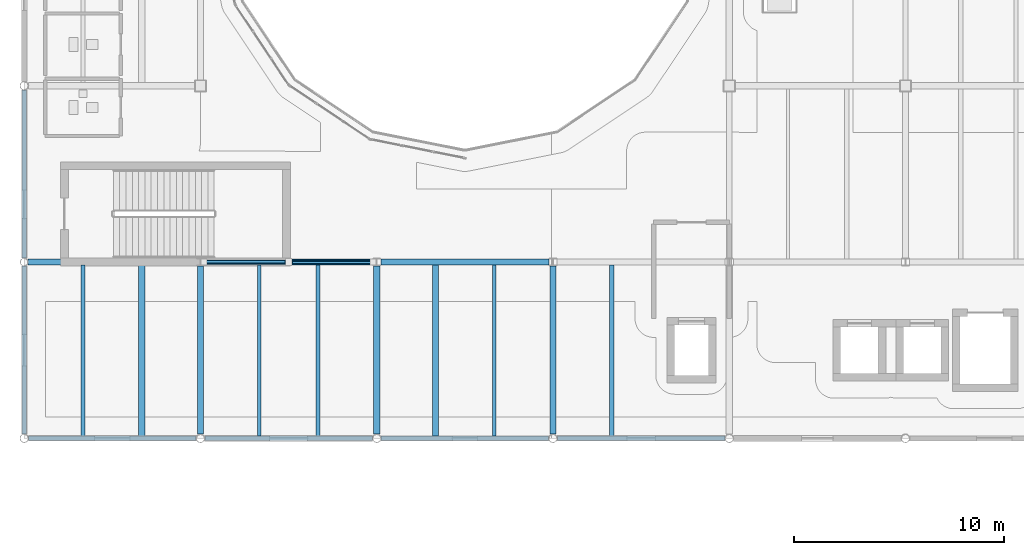
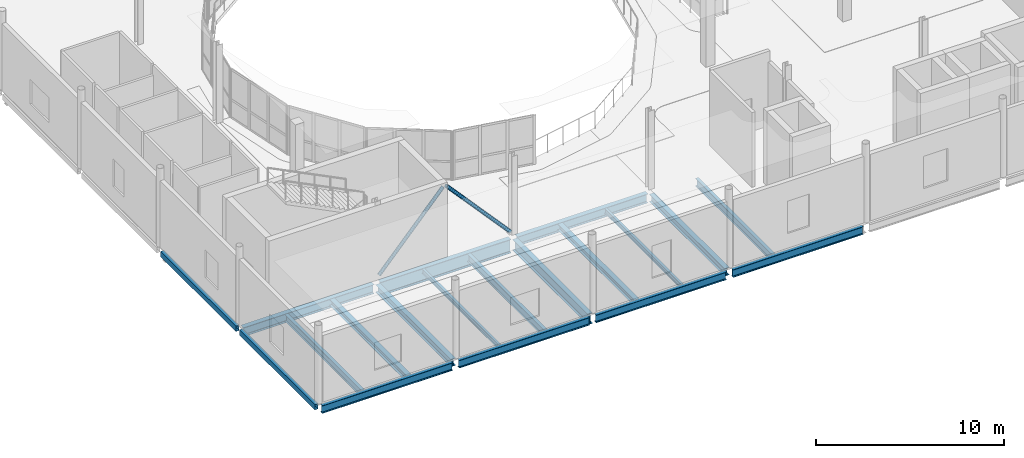
# One storey, part 12 of 103: 19 beams, 2 members.
"""IFC4 building model written with IfcOpenShell, lengths in metres."""

from ifc_helpers import new_model, si_unit, direction, frame, origin, origin_2d, place, context, subcontext, project, spatial, hollow_rectangle, hollow_circle, i_section, extrude, material, material_profile, profile_set, type_object, element, save


model = new_model("IFC4")

# Units and contexts
model_context = context("Model", 3, precision=1e-05, world=origin(), true_north=direction((0.0, 1.0)))
body_context = subcontext(model_context, "Body", "Model", "MODEL_VIEW")
ifc_project = project(units=[si_unit("LENGTHUNIT", "METRE"), si_unit("AREAUNIT", "SQUARE_METRE"), si_unit("VOLUMEUNIT", "CUBIC_METRE"), si_unit("PLANEANGLEUNIT", "RADIAN"), si_unit("MASSUNIT", "GRAM", prefix="KILO"), si_unit("THERMODYNAMICTEMPERATUREUNIT", "KELVIN")], contexts=[model_context])

# Site, building, storey
site_placement = place(None, origin())
site = spatial("IfcSite", under=ifc_project, at=site_placement, CompositionType="ELEMENT")
building_placement = place(site_placement, origin())
building = spatial("IfcBuilding", under=site, at=building_placement, Name="Lustrewick Department Store", CompositionType="ELEMENT")
storey_placement = place(building_placement, frame((0.0, 0.0, 16.5)))
storey = spatial("IfcBuildingStorey", under=building, at=storey_placement, Name="L04", CompositionType="ELEMENT", Elevation=16.5)

# Beams
ifc_material_1 = material(Name="Structural steel Q355B", Category="steel")
ifc_material_profile_1 = material_profile(ifc_material_1, i_section(OverallWidth=0.198974609375, OverallDepth=0.49609375, WebThickness=0.009033203125, FlangeThickness=0.013916015625, FilletRadius=0.01611328125, at=origin_2d()), Name="HN 496x199x9x14")
ifc_profile_set_1 = profile_set([ifc_material_profile_1], Name="Structural steel Q355B")
beam_type_1 = type_object("IfcBeamType", Name="B02", PredefinedType="JOIST", material=ifc_profile_set_1)
for number, where, z_axis, x_axis, name in (
    (1, (22.39990234375, 42.1005859375, -0.5029296875), (0.0, 1.0, 0.0), (-1.0, 0.0, 0.0), "L04 V1 Secondary Joist B02"),
    (2, (36.39990234375, 42.1005859375, -0.5029296875), (0.0, 1.0, 0.0), (-1.0, 0.0, 0.0), "L04 V1 Secondary Joist B02"),
):
    element("IfcBeam", number, at=place(storey_placement, frame(where, z_axis=z_axis, x_axis=x_axis)), inside=storey, type_object=beam_type_1, Name=name, PredefinedType="JOIST", context=body_context, shape_type="SweptSolid", body=[
        extrude(i_section(OverallWidth=0.198974609375, OverallDepth=0.49609375, WebThickness=0.009033203125, FlangeThickness=0.013916015625, FilletRadius=0.01611328125, at=origin_2d()), origin(), (0.0, 0.0, 1.0), 8.14990234375),
    ])
ifc_material_profile_2 = material_profile(ifc_material_1, i_section(OverallWidth=0.199951171875, OverallDepth=0.449951171875, WebThickness=0.009033203125, FlangeThickness=0.013916015625, FilletRadius=0.01611328125, at=origin_2d()), Name="HN 450x200x9x14")
ifc_profile_set_2 = profile_set([ifc_material_profile_2], Name="Structural steel Q355B")
beam_type_2 = type_object("IfcBeamType", Name="B03", PredefinedType="JOIST", material=ifc_profile_set_2)
beam_1_placement = place(storey_placement, frame((11.199951171875, 42.1005859375, -0.47998046875), z_axis=(0.0, 1.0, 0.0), x_axis=(-1.0, 0.0, 0.0)))
element("IfcBeam", 3, at=beam_1_placement, inside=storey, type_object=beam_type_2, Name="L04 V1 Secondary Joist B03", PredefinedType="JOIST", context=body_context, shape_type="SweptSolid", body=[
    extrude(i_section(OverallWidth=0.199951171875, OverallDepth=0.449951171875, WebThickness=0.009033203125, FlangeThickness=0.013916015625, FilletRadius=0.01611328125, at=origin_2d()), origin(), (0.0, 0.0, 1.0), 8.1494140625),
])
ifc_material_profile_3 = material_profile(ifc_material_1, i_section(OverallWidth=0.300048828125, OverallDepth=0.389892578125, WebThickness=0.010009765625, FlangeThickness=0.01611328125, FilletRadius=0.01806640625, at=origin_2d()), Name="HM 390x300x10x16")
ifc_profile_set_3 = profile_set([ifc_material_profile_3], Name="Structural steel Q355B")
beam_type_3 = type_object("IfcBeamType", Name="B07", PredefinedType="JOIST", material=ifc_profile_set_3)
for number, where, z_axis, x_axis, name in (
    (4, (14.0, 42.1005859375, -0.449951171875), (0.0, 1.0, 0.0), (-1.0, 0.0, 0.0), "L04 V1 Secondary Joist B07"),
    (5, (28.0, 42.1005859375, -0.449951171875), (0.0, 1.0, 0.0), (-1.0, 0.0, 0.0), "L04 V1 Secondary Joist B07"),
):
    element("IfcBeam", number, at=place(storey_placement, frame(where, z_axis=z_axis, x_axis=x_axis)), inside=storey, type_object=beam_type_3, Name=name, PredefinedType="JOIST", context=body_context, shape_type="SweptSolid", body=[
        extrude(i_section(OverallWidth=0.300048828125, OverallDepth=0.389892578125, WebThickness=0.010009765625, FlangeThickness=0.01611328125, FilletRadius=0.01806640625, at=origin_2d()), origin(), (0.0, 0.0, 1.0), 8.1494140625),
    ])
ifc_material_profile_4 = material_profile(ifc_material_1, i_section(OverallWidth=0.14990234375, OverallDepth=0.300048828125, WebThickness=0.006591796875, FlangeThickness=0.009033203125, FilletRadius=0.011962890625, at=origin_2d()), Name="HN 300x150x6.5x9")
ifc_profile_set_4 = profile_set([ifc_material_profile_4], Name="Structural steel Q355B")
beam_type_4 = type_object("IfcBeamType", Name="B11", PredefinedType="JOIST", material=ifc_profile_set_4)
beam_2_placement = place(storey_placement, frame((30.800048828125, 42.1005859375, -0.405029296875), z_axis=(0.0, 1.0, 0.0), x_axis=(-1.0, 0.0, 0.0)))
element("IfcBeam", 6, at=beam_2_placement, inside=storey, type_object=beam_type_4, Name="L04 V1 Secondary Joist B11", PredefinedType="JOIST", context=body_context, shape_type="SweptSolid", body=[
    extrude(i_section(OverallWidth=0.14990234375, OverallDepth=0.300048828125, WebThickness=0.006591796875, FlangeThickness=0.009033203125, FilletRadius=0.011962890625, at=origin_2d()), origin(), (0.0, 0.0, 1.0), 8.1494140625),
])
ifc_material_profile_5 = material_profile(ifc_material_1, i_section(OverallWidth=0.14892578125, OverallDepth=0.298095703125, WebThickness=0.005615234375, FlangeThickness=0.008056640625, FilletRadius=0.011962890625, at=origin_2d()), Name="HN 298x149x5.5x8")
ifc_profile_set_5 = profile_set([ifc_material_profile_5], Name="Structural steel Q355B")
beam_type_5 = type_object("IfcBeamType", Name="B12", PredefinedType="JOIST", material=ifc_profile_set_5)
beam_3_placement = place(storey_placement, frame((19.60009765625, 42.1005859375, -0.404052734375), z_axis=(0.0, 1.0, 0.0), x_axis=(-1.0, 0.0, 0.0)))
element("IfcBeam", 7, at=beam_3_placement, inside=storey, type_object=beam_type_5, Name="L04 V1 Secondary Joist B12", PredefinedType="JOIST", context=body_context, shape_type="SweptSolid", body=[
    extrude(i_section(OverallWidth=0.14892578125, OverallDepth=0.298095703125, WebThickness=0.005615234375, FlangeThickness=0.008056640625, FilletRadius=0.011962890625, at=origin_2d()), origin(), (0.0, 0.0, 1.0), 8.14990234375),
])

# Members
ifc_material_profile_6 = material_profile(ifc_material_1, hollow_circle(Radius=0.109619140625, WallThickness=0.010009765625, at=origin_2d()), Name="CHS 219x10")
ifc_profile_set_6 = profile_set([ifc_material_profile_6], Name="Structural steel Q355B")
member_type = type_object("IfcMemberType", Name="BR05", PredefinedType="BRACE", material=ifc_profile_set_6)
for number, where, z_axis, x_axis, name in (
    (8, (16.97509765625, 50.39990234375, 0.14990234375), (0.670295146566, 0.0, 0.742094614244), (0.0, 1.0, 0.0), "L04 V1 Chevron Brace BR05"),
    (9, (25.02490234375, 50.39990234375, 0.14990234375), (-0.670295146566, 0.0, 0.742094614244), (0.0, -1.0, 0.0), "L04 V1 Chevron Brace BR05"),
):
    element("IfcMember", number, at=place(storey_placement, frame(where, z_axis=z_axis, x_axis=x_axis)), inside=storey, type_object=member_type, Name=name, PredefinedType="BRACE", context=body_context, shape_type="SweptSolid", body=[
        extrude(hollow_circle(Radius=0.109619140625, WallThickness=0.010009765625, at=origin_2d()), origin(), (0.0, 0.0, 1.0), 5.855224609375),
    ])

# Beams
ifc_material_2 = material(Name="Structural steel Q355C", Category="steel")
ifc_material_profile_7 = material_profile(ifc_material_2, i_section(OverallWidth=0.299072265625, OverallDepth=0.889892578125, WebThickness=0.014892578125, FlangeThickness=0.02294921875, FilletRadius=0.02392578125, at=origin_2d()), Name="HN 890x299x15x23")
ifc_profile_set_7 = profile_set([ifc_material_profile_7], Name="Structural steel Q355C")
beam_type_6 = type_object("IfcBeamType", Name="G03", PredefinedType="BEAM", material=ifc_profile_set_7)
beam_4_placement = place(storey_placement, frame((17.0009765625, 50.39990234375, -0.699951171875), z_axis=(1.0, 0.0, 0.0), x_axis=(0.0, 1.0, 0.0)))
element("IfcBeam", 10, at=beam_4_placement, inside=storey, type_object=beam_type_6, Name="L04 V1 Girder G03", PredefinedType="BEAM", context=body_context, shape_type="SweptSolid", body=[
    extrude(i_section(OverallWidth=0.299072265625, OverallDepth=0.889892578125, WebThickness=0.014892578125, FlangeThickness=0.02294921875, FilletRadius=0.02392578125, at=origin_2d()), origin(), (0.0, 0.0, 1.0), 7.998046875),
])
ifc_material_profile_8 = material_profile(ifc_material_1, i_section(OverallWidth=0.300048828125, OverallDepth=0.699951171875, WebThickness=0.012939453125, FlangeThickness=0.02392578125, FilletRadius=0.02001953125, at=origin_2d()), Name="HN 700x300x13x24")
ifc_profile_set_8 = profile_set([ifc_material_profile_8], Name="Structural steel Q355B")
beam_type_7 = type_object("IfcBeamType", Name="G08", PredefinedType="BEAM", material=ifc_profile_set_8)
beam_5_placement = place(storey_placement, frame((25.199951171875, 42.202880859375, -0.60498046875), z_axis=(0.0, 1.0, 0.0), x_axis=(-1.0, 0.0, 0.0)))
element("IfcBeam", 11, at=beam_5_placement, inside=storey, type_object=beam_type_7, Name="L04 V1 Girder G08", PredefinedType="BEAM", context=body_context, shape_type="SweptSolid", body=[
    extrude(i_section(OverallWidth=0.300048828125, OverallDepth=0.699951171875, WebThickness=0.012939453125, FlangeThickness=0.02392578125, FilletRadius=0.02001953125, at=origin_2d()), origin(), (0.0, 0.0, 1.0), 8.003173828125),
])
ifc_material_profile_9 = material_profile(ifc_material_1, i_section(OverallWidth=0.300048828125, OverallDepth=0.58203125, WebThickness=0.011962890625, FlangeThickness=0.01708984375, FilletRadius=0.02392578125, at=origin_2d()), Name="HM 582x300x12x17")
ifc_profile_set_9 = profile_set([ifc_material_profile_9], Name="Structural steel Q355B")
beam_type_8 = type_object("IfcBeamType", Name="G12", PredefinedType="BEAM", material=ifc_profile_set_9)
beam_6_placement = place(storey_placement, frame((8.58837890625, 50.39990234375, -0.5458984375), z_axis=(1.0, 0.0, 0.0), x_axis=(0.0, 1.0, 0.0)))
element("IfcBeam", 12, at=beam_6_placement, inside=storey, type_object=beam_type_8, Name="L04 V1 Girder G12", PredefinedType="BEAM", context=body_context, shape_type="SweptSolid", body=[
    extrude(i_section(OverallWidth=0.300048828125, OverallDepth=0.58203125, WebThickness=0.011962890625, FlangeThickness=0.01708984375, FilletRadius=0.02392578125, at=origin_2d()), origin(), (0.0, 0.0, 1.0), 8.0107421875),
])
beam_7_placement = place(storey_placement, frame((25.40087890625, 50.39990234375, -0.5458984375), z_axis=(1.0, 0.0, 0.0), x_axis=(0.0, 1.0, 0.0)))
element("IfcBeam", 13, at=beam_7_placement, inside=storey, type_object=beam_type_8, Name="L04 V1 Girder G12", PredefinedType="BEAM", context=body_context, shape_type="SweptSolid", body=[
    extrude(i_section(OverallWidth=0.300048828125, OverallDepth=0.58203125, WebThickness=0.011962890625, FlangeThickness=0.01708984375, FilletRadius=0.02392578125, at=origin_2d()), origin(), (0.0, 0.0, 1.0), 7.998046875),
])
ifc_material_profile_10 = material_profile(ifc_material_1, i_section(OverallWidth=0.300048828125, OverallDepth=0.48193359375, WebThickness=0.010986328125, FlangeThickness=0.014892578125, FilletRadius=0.02197265625, at=origin_2d()), Name="HM 482x300x11x15")
ifc_profile_set_10 = profile_set([ifc_material_profile_10], Name="Structural steel Q355B")
beam_type_9 = type_object("IfcBeamType", Name="G20", PredefinedType="BEAM", material=ifc_profile_set_10)
for number, where, z_axis, x_axis, name in (
    (14, (16.800048828125, 42.202880859375, -0.49609375), (0.0, 1.0, 0.0), (-1.0, 0.0, 0.0), "L04 V1 Girder G20"),
    (15, (33.60009765625, 42.202880859375, -0.49609375), (0.0, 1.0, 0.0), (-1.0, 0.0, 0.0), "L04 V1 Girder G20"),
):
    element("IfcBeam", number, at=place(storey_placement, frame(where, z_axis=z_axis, x_axis=x_axis)), inside=storey, type_object=beam_type_9, Name=name, PredefinedType="BEAM", context=body_context, shape_type="SweptSolid", body=[
        extrude(i_section(OverallWidth=0.300048828125, OverallDepth=0.48193359375, WebThickness=0.010986328125, FlangeThickness=0.014892578125, FilletRadius=0.02197265625, at=origin_2d()), origin(), (0.0, 0.0, 1.0), 8.003173828125),
    ])
ifc_material_profile_11 = material_profile(ifc_material_1, i_section(OverallWidth=0.200927734375, OverallDepth=0.506103515625, WebThickness=0.010986328125, FlangeThickness=0.01904296875, FilletRadius=0.01611328125, at=origin_2d()), Name="HN 506x201x11x19")
ifc_profile_set_11 = profile_set([ifc_material_profile_11], Name="Structural steel Q355B")
beam_type_10 = type_object("IfcBeamType", Name="SP01", PredefinedType="SPANDREL", material=ifc_profile_set_11)
beam_8_placement = place(storey_placement, frame((8.60302734375, 42.0, -0.508056640625), z_axis=(1.0, 0.0, 0.0), x_axis=(0.0, 1.0, 0.0)))
element("IfcBeam", 16, at=beam_8_placement, inside=storey, type_object=beam_type_10, Name="L04 V1 Girder SP01", PredefinedType="SPANDREL", context=body_context, shape_type="SweptSolid", body=[
    extrude(i_section(OverallWidth=0.200927734375, OverallDepth=0.506103515625, WebThickness=0.010986328125, FlangeThickness=0.01904296875, FilletRadius=0.01611328125, at=origin_2d()), origin(), (0.0, 0.0, 1.0), 7.993896484375),
])
beam_9_placement = place(storey_placement, frame((17.0029296875, 42.0, -0.508056640625), z_axis=(1.0, 0.0, 0.0), x_axis=(0.0, 1.0, 0.0)))
element("IfcBeam", 17, at=beam_9_placement, inside=storey, type_object=beam_type_10, Name="L04 V1 Girder SP01", PredefinedType="SPANDREL", context=body_context, shape_type="SweptSolid", body=[
    extrude(i_section(OverallWidth=0.200927734375, OverallDepth=0.506103515625, WebThickness=0.010986328125, FlangeThickness=0.01904296875, FilletRadius=0.01611328125, at=origin_2d()), origin(), (0.0, 0.0, 1.0), 7.994140625),
])
beam_10_placement = place(storey_placement, frame((25.403076171875, 42.0, -0.508056640625), z_axis=(1.0, 0.0, 0.0), x_axis=(0.0, 1.0, 0.0)))
element("IfcBeam", 18, at=beam_10_placement, inside=storey, type_object=beam_type_10, Name="L04 V1 Girder SP01", PredefinedType="SPANDREL", context=body_context, shape_type="SweptSolid", body=[
    extrude(i_section(OverallWidth=0.200927734375, OverallDepth=0.506103515625, WebThickness=0.010986328125, FlangeThickness=0.01904296875, FilletRadius=0.01611328125, at=origin_2d()), origin(), (0.0, 0.0, 1.0), 7.993896484375),
])
beam_11_placement = place(storey_placement, frame((33.802978515625, 42.0, -0.508056640625), z_axis=(1.0, 0.0, 0.0), x_axis=(0.0, 1.0, 0.0)))
element("IfcBeam", 19, at=beam_11_placement, inside=storey, type_object=beam_type_10, Name="L04 V1 Girder SP01", PredefinedType="SPANDREL", context=body_context, shape_type="SweptSolid", body=[
    extrude(i_section(OverallWidth=0.200927734375, OverallDepth=0.506103515625, WebThickness=0.010986328125, FlangeThickness=0.01904296875, FilletRadius=0.01611328125, at=origin_2d()), origin(), (0.0, 0.0, 1.0), 7.994140625),
])
ifc_material_profile_12 = material_profile(ifc_material_2, hollow_rectangle(XDim=0.199951171875, YDim=0.35009765625, WallThickness=0.011962890625, at=origin_2d()), Name="RHS 350x200x12")
ifc_profile_set_12 = profile_set([ifc_material_profile_12], Name="Structural steel Q355C")
beam_type_11 = type_object("IfcBeamType", Name="SP03", PredefinedType="SPANDREL", material=ifc_profile_set_12)
for number, where, z_axis, x_axis, name in (
    (20, (8.39990234375, 42.202880859375, -0.429931640625), (0.0, 1.0, 0.0), (-1.0, 0.0, 0.0), "L04 V1 Girder SP03"),
    (21, (8.39990234375, 50.58837890625, -0.429931640625), (0.0, 1.0, 0.0), (-1.0, 0.0, 0.0), "L04 V1 Girder SP03"),
):
    element("IfcBeam", number, at=place(storey_placement, frame(where, z_axis=z_axis, x_axis=x_axis)), inside=storey, type_object=beam_type_11, Name=name, PredefinedType="SPANDREL", context=body_context, shape_type="SweptSolid", body=[
        extrude(hollow_rectangle(XDim=0.199951171875, YDim=0.35009765625, WallThickness=0.011962890625, at=origin_2d()), origin(), (0.0, 0.0, 1.0), 8.008544921875),
    ])

save(model, "model.ifc")
